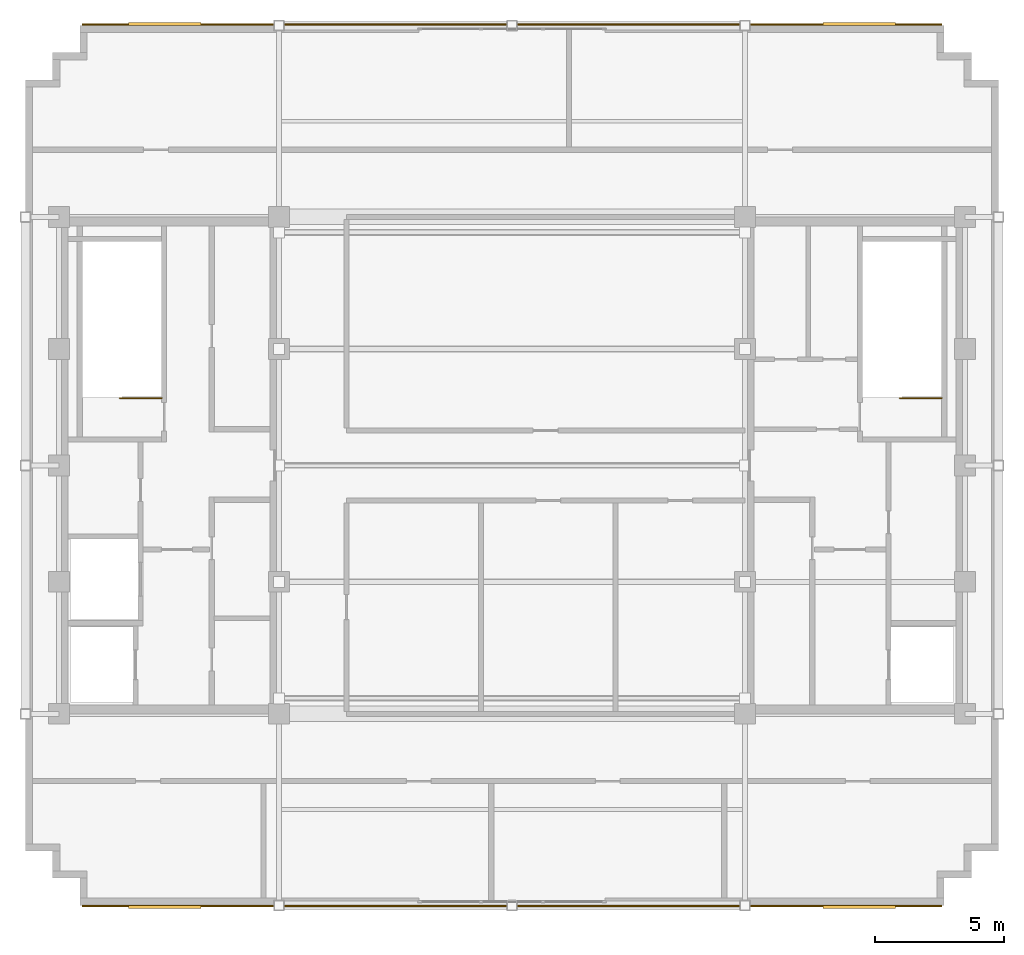
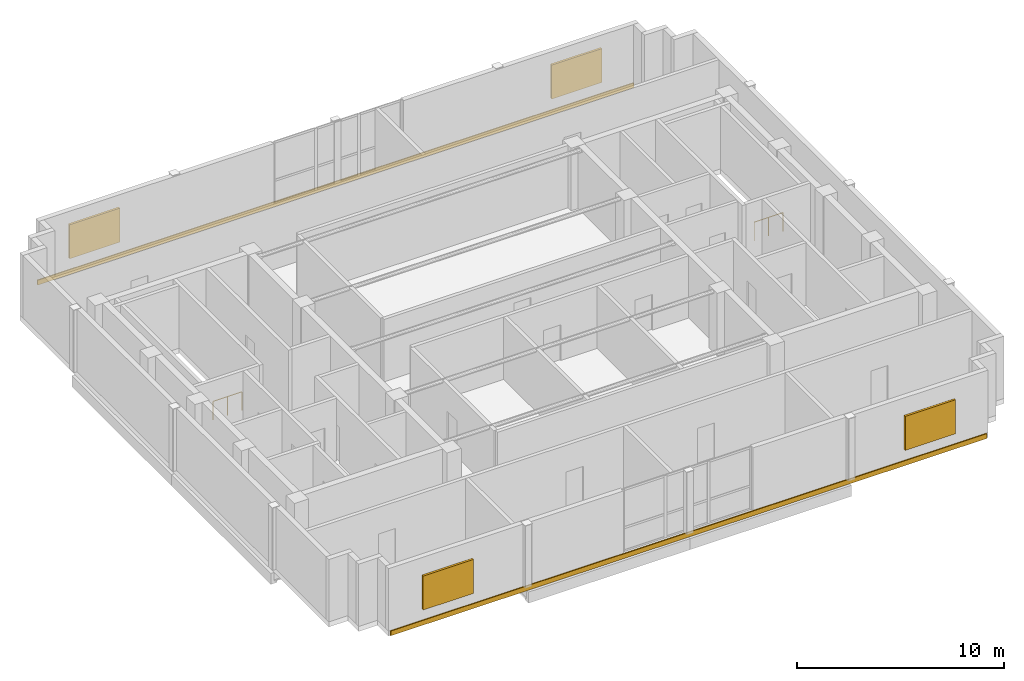
# One storey, part 7 of 7: 4 shading devices, 2 coverings, 2 railings.
"""IFC4 building model written with IfcOpenShell, lengths in metres."""

from ifc_helpers import new_model, si_unit, direction, frame, origin, origin_2d, place, context, subcontext, project, spatial, rectangle, circle, extrude, source, transform, mapped, material, layer, layer_set, type_object, type_shapes, element, save


model = new_model("IFC4")

# Units and contexts
model_context = context("Model", 3, precision=1e-05, world=origin(), true_north=direction((0.0, 1.0)))
body_context = subcontext(model_context, "Body", "Model", "MODEL_VIEW")
ifc_project = project(units=[si_unit("LENGTHUNIT", "METRE"), si_unit("AREAUNIT", "SQUARE_METRE"), si_unit("VOLUMEUNIT", "CUBIC_METRE"), si_unit("PLANEANGLEUNIT", "RADIAN"), si_unit("MASSUNIT", "GRAM", prefix="KILO")], contexts=[model_context])

# Site, building, storey
site_placement = place(None, origin())
site = spatial("IfcSite", under=ifc_project, at=site_placement, CompositionType="ELEMENT")
building_placement = place(site_placement, origin())
building = spatial("IfcBuilding", under=site, at=building_placement, Name="Nuvemarco Arch Tower", CompositionType="ELEMENT")
storey_placement = place(building_placement, frame((0.0, 0.0, 307.14990234375)))
storey = spatial("IfcBuildingStorey", under=building, at=storey_placement, Name="L81", CompositionType="ELEMENT", Elevation=307.14990234375)

# Railings
ifc_material_1 = material(Name="Painted balustrade steel S355", Category="steel")
railing_type = type_object("IfcRailingType", Name="RL-STAIR-GUARD", PredefinedType="GUARDRAIL", material=ifc_material_1)
railing_1_placement = place(storey_placement, frame((-13.5400390625, 2.60009765625, 0.0)))
element("IfcRailing", 1, at=railing_1_placement, inside=storey, type_object=railing_type, Name="L81 ST-1 top well guard 1", PredefinedType="GUARDRAIL", context=body_context, shape_type="SweptSolid", body=[
    extrude(circle(Radius=0.02392578125, at=origin_2d()), frame((0.0, 0.0, 1.09619140625), z_axis=(-1.0, 0.0, 0.0), x_axis=(0.0, -1.0, 0.0)), (0.0, 0.0, 1.0), 1.60986328125),
    extrude(circle(Radius=0.02099609375, at=origin_2d()), origin(), (0.0, 0.0, 1.0), 1.072021484375),
    extrude(circle(Radius=0.02099609375, at=origin_2d()), frame((-0.804931640625, 0.0, 0.0)), (0.0, 0.0, 1.0), 1.072021484375),
    extrude(circle(Radius=0.02099609375, at=origin_2d()), frame((-1.60986328125, 0.0, 0.0)), (0.0, 0.0, 1.0), 1.072021484375),
])
railing_2_placement = place(storey_placement, frame((16.60009765625, 2.60009765625, 0.0)))
element("IfcRailing", 2, at=railing_2_placement, inside=storey, type_object=railing_type, Name="L81 ST-2 top well guard 1", PredefinedType="GUARDRAIL", context=body_context, shape_type="SweptSolid", body=[
    extrude(circle(Radius=0.02392578125, at=origin_2d()), frame((0.0, 0.0, 1.09619140625), z_axis=(-1.0, 0.0, 0.0), x_axis=(0.0, -1.0, 0.0)), (0.0, 0.0, 1.0), 1.610107421875),
    extrude(circle(Radius=0.02099609375, at=origin_2d()), origin(), (0.0, 0.0, 1.0), 1.072021484375),
    extrude(circle(Radius=0.02099609375, at=origin_2d()), frame((-0.80517578125, 0.0, 0.0)), (0.0, 0.0, 1.0), 1.072021484375),
    extrude(circle(Radius=0.02099609375, at=origin_2d()), frame((-1.610107421875, 0.0, 0.0)), (0.0, 0.0, 1.0), 1.072021484375),
])

# Shading devices
ifc_material_2 = material(Name="Anodised aluminium 6063-T6", Category="aluminium")
shading_device_type = type_object("IfcShadingDeviceType", Name="SHD-LOUVRE-PLANT", PredefinedType="JALOUSIE", material=ifc_material_2)
shared_shape_1 = source(origin(), body_context, "Body", "SweptSolid", [
    extrude(rectangle(XDim=2.800048828125, YDim=0.1201171875, at=origin_2d()), origin(), (0.0, 0.0, 1.0), 2.0),
])
type_shapes(shading_device_type, [shared_shape_1])
for number, where, z_axis, x_axis, name in (
    (3, (-13.425048828125, -17.054931640625, 0.650146484375), (0.0, 0.0, 1.0), (1.0, 0.0, 0.0), "L81 acoustic plant louvre panel 1"),
    (4, (13.425048828125, -17.054931640625, 0.650146484375), (0.0, 0.0, 1.0), (1.0, 0.0, 0.0), "L81 acoustic plant louvre panel 2"),
    (5, (-13.425048828125, 17.054931640625, 0.650146484375), (0.0, 0.0, 1.0), (1.0, 0.0, 0.0), "L81 acoustic plant louvre panel 1"),
    (6, (13.425048828125, 17.054931640625, 0.650146484375), (0.0, 0.0, 1.0), (1.0, 0.0, 0.0), "L81 acoustic plant louvre panel 2"),
):
    element("IfcShadingDevice", number, at=place(storey_placement, frame(where, z_axis=z_axis, x_axis=x_axis)), inside=storey, type_object=shading_device_type, Name=name, PredefinedType="JALOUSIE", context=body_context, shape_type="MappedRepresentation", body=[
        mapped(shared_shape_1, transform((0.0, 0.0, 0.0), scale=1.0)),
    ])

# Coverings
ifc_material_3 = material(Name="Precast concrete C45/55", Category="concrete")
ifc_layer = layer(ifc_material_3, 0.06005859375, Name="COV-SPANDREL-CLAD")
ifc_layer_set = layer_set([ifc_layer], Name="Precast concrete C45/55")
covering_type = type_object("IfcCoveringType", Name="COV-SPANDREL-CLAD", PredefinedType="CLADDING", material=ifc_layer_set)
shared_shape_2 = source(origin(), body_context, "Body", "SweptSolid", [
    extrude(rectangle(XDim=33.199951171875, YDim=0.06005859375, at=origin_2d()), origin(), (0.0, 0.0, 1.0), 0.280029296875),
])
type_shapes(covering_type, [shared_shape_2])
for number, where, z_axis, x_axis, name in (
    (7, (0.0, -17.029052734375, -0.27978515625), (0.0, 0.0, 1.0), (1.0, 0.0, 0.0), "L81 precast spandrel edge cladding south"),
    (8, (0.0, 17.029052734375, -0.27978515625), (0.0, 0.0, 1.0), (1.0, 0.0, 0.0), "L81 precast spandrel edge cladding north"),
):
    element("IfcCovering", number, at=place(storey_placement, frame(where, z_axis=z_axis, x_axis=x_axis)), inside=storey, type_object=covering_type, Name=name, PredefinedType="CLADDING", context=body_context, shape_type="MappedRepresentation", body=[
        mapped(shared_shape_2, transform((0.0, 0.0, 0.0), scale=1.0)),
    ])

save(model, "model.ifc")
